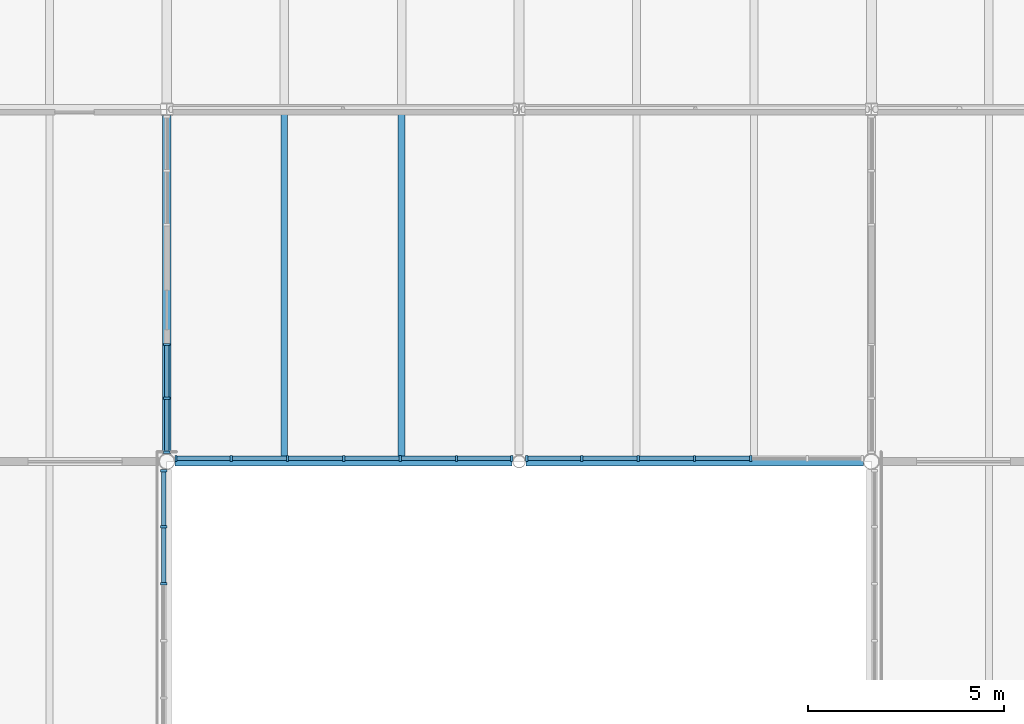
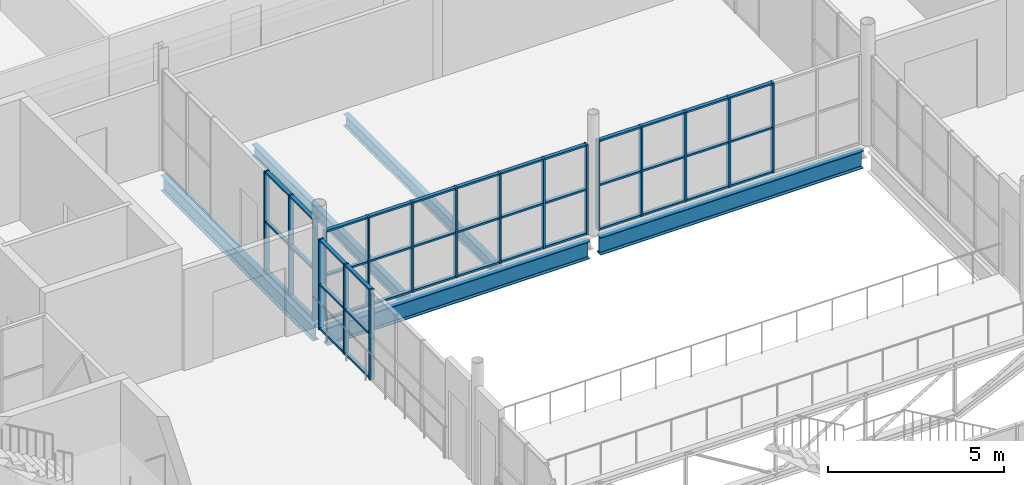
# One storey, part 23 of 61: 60 members, 5 beams, 4 elements without a shape of their own.
"""IFC4 building model written with IfcOpenShell, lengths in metres."""

from ifc_helpers import new_model, si_unit, direction, frame, origin, origin_2d, place, context, subcontext, project, spatial, rectangle, i_section, extrude, material, layer, layer_set, material_profile, profile_set, type_object, element, aggregate, save


model = new_model("IFC4")

# Units and contexts
model_context = context("Model", 3, precision=1e-05, world=origin(), true_north=direction((0.0, 1.0)))
body_context = subcontext(model_context, "Body", "Model", "MODEL_VIEW")
ifc_project = project(units=[si_unit("LENGTHUNIT", "METRE"), si_unit("AREAUNIT", "SQUARE_METRE"), si_unit("VOLUMEUNIT", "CUBIC_METRE"), si_unit("PLANEANGLEUNIT", "RADIAN"), si_unit("MASSUNIT", "GRAM", prefix="KILO")], contexts=[model_context])

# Site, building, storey
site_placement = place(None, origin())
site = spatial("IfcSite", under=ifc_project, at=site_placement, CompositionType="ELEMENT")
building_placement = place(site_placement, origin())
building = spatial("IfcBuilding", under=site, at=building_placement, Name="Halyard Row Museum", CompositionType="ELEMENT")
storey_placement = place(building_placement, frame((0.0, 0.0, 9.199951171875)))
storey = spatial("IfcBuildingStorey", under=building, at=storey_placement, Name="L02", CompositionType="ELEMENT", Elevation=9.199951171875)

# Curtain wall, members
ifc_material_1 = material(Name="Fire-resisting laminated glazing", Category="glass")
ifc_layer = layer(ifc_material_1, 0.159912109375)
ifc_layer_set = layer_set([ifc_layer], Name="Fire-resisting laminated glazing")
curtain_wall_type = type_object("IfcCurtainWallType", Name="Curtain wall atrium screen 160 deep", PredefinedType="NOTDEFINED", material=ifc_layer_set)
curtain_wall_1_placement = place(storey_placement, origin())
curtain_wall_1 = element("IfcCurtainWall", 1, at=curtain_wall_1_placement, inside=storey, type_object=curtain_wall_type, Name="Curtain wall CW089", PredefinedType="NOTDEFINED")
ifc_material_2 = material(Name="Powder-coated aluminium section", Category="aluminium")
ifc_material_profile_1 = material_profile(ifc_material_2, rectangle(XDim=0.159912109375, YDim=0.06005859375, at=origin_2d()), Name="160x60 mullion")
ifc_profile_set_1 = profile_set([ifc_material_profile_1], Name="Powder-coated aluminium section")
member_type_1 = type_object("IfcMemberType", Name="Curtain wall mullion CM5 60 x 160", PredefinedType="MULLION", material=ifc_profile_set_1)
member_1_placement = place(storey_placement, frame((95.91845703125, 27.080078125, 0.0), z_axis=(0.0, 0.0, 1.0), x_axis=(0.0, -1.0, 0.0)))
member_1 = element("IfcMember", 2, at=member_1_placement, type_object=member_type_1, Name="CW089 mullion 3", PredefinedType="MULLION", context=body_context, shape_type="SweptSolid", body=[
    extrude(rectangle(XDim=0.159912109375, YDim=0.06005859375, at=origin_2d()), origin(), (0.0, 0.0, 1.0), 3.12451171875),
])
member_2_placement = place(storey_placement, frame((94.4794921875, 27.080078125, 0.0), z_axis=(0.0, 0.0, 1.0), x_axis=(0.0, -1.0, 0.0)))
member_2 = element("IfcMember", 3, at=member_2_placement, type_object=member_type_1, Name="CW089 mullion 4", PredefinedType="MULLION", context=body_context, shape_type="SweptSolid", body=[
    extrude(rectangle(XDim=0.159912109375, YDim=0.06005859375, at=origin_2d()), origin(), (0.0, 0.0, 1.0), 3.12451171875),
])
member_3_placement = place(storey_placement, frame((93.040283203125, 27.080078125, 0.0), z_axis=(0.0, 0.0, 1.0), x_axis=(0.0, -1.0, 0.0)))
member_3 = element("IfcMember", 4, at=member_3_placement, type_object=member_type_1, Name="CW089 mullion 5", PredefinedType="MULLION", context=body_context, shape_type="SweptSolid", body=[
    extrude(rectangle(XDim=0.159912109375, YDim=0.06005859375, at=origin_2d()), origin(), (0.0, 0.0, 1.0), 3.12451171875),
])
member_4_placement = place(storey_placement, frame((91.60107421875, 27.080078125, 0.0), z_axis=(0.0, 0.0, 1.0), x_axis=(0.0, -1.0, 0.0)))
member_4 = element("IfcMember", 5, at=member_4_placement, type_object=member_type_1, Name="CW089 mullion 6", PredefinedType="MULLION", context=body_context, shape_type="SweptSolid", body=[
    extrude(rectangle(XDim=0.159912109375, YDim=0.06005859375, at=origin_2d()), origin(), (0.0, 0.0, 1.0), 3.12451171875),
])
member_5_placement = place(storey_placement, frame((90.19189453125, 27.080078125, 0.0), z_axis=(0.0, 0.0, 1.0), x_axis=(0.0, -1.0, 0.0)))
member_5 = element("IfcMember", 6, at=member_5_placement, type_object=member_type_1, Name="CW089 mullion 7", PredefinedType="MULLION", context=body_context, shape_type="SweptSolid", body=[
    extrude(rectangle(XDim=0.159912109375, YDim=0.06005859375, at=origin_2d()), origin(), (0.0, 0.0, 1.0), 3.12451171875),
])

curtain_wall_2_placement = place(storey_placement, origin())
curtain_wall_2 = element("IfcCurtainWall", 7, at=curtain_wall_2_placement, inside=storey, type_object=curtain_wall_type, Name="Curtain wall CW090", PredefinedType="NOTDEFINED")
member_6_placement = place(storey_placement, frame((89.80810546875, 27.080078125, 0.0), z_axis=(0.0, 0.0, 1.0), x_axis=(0.0, -1.0, 0.0)))
member_6 = element("IfcMember", 8, at=member_6_placement, type_object=member_type_1, Name="CW090 mullion 1", PredefinedType="MULLION", context=body_context, shape_type="SweptSolid", body=[
    extrude(rectangle(XDim=0.159912109375, YDim=0.06005859375, at=origin_2d()), origin(), (0.0, 0.0, 1.0), 3.12451171875),
])
member_7_placement = place(storey_placement, frame((88.39892578125, 27.080078125, 0.0), z_axis=(0.0, 0.0, 1.0), x_axis=(0.0, -1.0, 0.0)))
member_7 = element("IfcMember", 9, at=member_7_placement, type_object=member_type_1, Name="CW090 mullion 2", PredefinedType="MULLION", context=body_context, shape_type="SweptSolid", body=[
    extrude(rectangle(XDim=0.159912109375, YDim=0.06005859375, at=origin_2d()), origin(), (0.0, 0.0, 1.0), 3.12451171875),
])
member_8_placement = place(storey_placement, frame((86.959716796875, 27.080078125, 0.0), z_axis=(0.0, 0.0, 1.0), x_axis=(0.0, -1.0, 0.0)))
member_8 = element("IfcMember", 10, at=member_8_placement, type_object=member_type_1, Name="CW090 mullion 3", PredefinedType="MULLION", context=body_context, shape_type="SweptSolid", body=[
    extrude(rectangle(XDim=0.159912109375, YDim=0.06005859375, at=origin_2d()), origin(), (0.0, 0.0, 1.0), 3.12451171875),
])
member_9_placement = place(storey_placement, frame((85.5205078125, 27.080078125, 0.0), z_axis=(0.0, 0.0, 1.0), x_axis=(0.0, -1.0, 0.0)))
member_9 = element("IfcMember", 11, at=member_9_placement, type_object=member_type_1, Name="CW090 mullion 4", PredefinedType="MULLION", context=body_context, shape_type="SweptSolid", body=[
    extrude(rectangle(XDim=0.159912109375, YDim=0.06005859375, at=origin_2d()), origin(), (0.0, 0.0, 1.0), 3.12451171875),
])
member_10_placement = place(storey_placement, frame((84.08154296875, 27.080078125, 0.0), z_axis=(0.0, 0.0, 1.0), x_axis=(0.0, -1.0, 0.0)))
member_10 = element("IfcMember", 12, at=member_10_placement, type_object=member_type_1, Name="CW090 mullion 5", PredefinedType="MULLION", context=body_context, shape_type="SweptSolid", body=[
    extrude(rectangle(XDim=0.159912109375, YDim=0.06005859375, at=origin_2d()), origin(), (0.0, 0.0, 1.0), 3.12451171875),
])
member_11_placement = place(storey_placement, frame((82.642333984375, 27.080078125, 0.0), z_axis=(0.0, 0.0, 1.0), x_axis=(0.0, -1.0, 0.0)))
member_11 = element("IfcMember", 13, at=member_11_placement, type_object=member_type_1, Name="CW090 mullion 6", PredefinedType="MULLION", context=body_context, shape_type="SweptSolid", body=[
    extrude(rectangle(XDim=0.159912109375, YDim=0.06005859375, at=origin_2d()), origin(), (0.0, 0.0, 1.0), 3.12451171875),
])
member_12_placement = place(storey_placement, frame((81.233154296875, 27.080078125, 0.0), z_axis=(0.0, 0.0, 1.0), x_axis=(0.0, -1.0, 0.0)))
member_12 = element("IfcMember", 14, at=member_12_placement, type_object=member_type_1, Name="CW090 mullion 7", PredefinedType="MULLION", context=body_context, shape_type="SweptSolid", body=[
    extrude(rectangle(XDim=0.159912109375, YDim=0.06005859375, at=origin_2d()), origin(), (0.0, 0.0, 1.0), 3.12451171875),
])

curtain_wall_3_placement = place(storey_placement, origin())
curtain_wall_3 = element("IfcCurtainWall", 15, at=curtain_wall_3_placement, inside=storey, type_object=curtain_wall_type, Name="Curtain wall CW091", PredefinedType="NOTDEFINED")
member_13_placement = place(storey_placement, frame((80.919921875, 26.766845703125, 0.0), z_axis=(0.0, 0.0, 1.0), x_axis=(1.0, 0.0, 0.0)))
member_13 = element("IfcMember", 16, at=member_13_placement, type_object=member_type_1, Name="CW091 mullion 1", PredefinedType="MULLION", context=body_context, shape_type="SweptSolid", body=[
    extrude(rectangle(XDim=0.159912109375, YDim=0.06005859375, at=origin_2d()), origin(), (0.0, 0.0, 1.0), 3.12451171875),
])
member_14_placement = place(storey_placement, frame((80.919921875, 25.33740234375, 0.0), z_axis=(0.0, 0.0, 1.0), x_axis=(1.0, 0.0, 0.0)))
member_14 = element("IfcMember", 17, at=member_14_placement, type_object=member_type_1, Name="CW091 mullion 2", PredefinedType="MULLION", context=body_context, shape_type="SweptSolid", body=[
    extrude(rectangle(XDim=0.159912109375, YDim=0.06005859375, at=origin_2d()), origin(), (0.0, 0.0, 1.0), 3.12451171875),
])
member_15_placement = place(storey_placement, frame((80.919921875, 23.878173828125, 0.0), z_axis=(0.0, 0.0, 1.0), x_axis=(1.0, 0.0, 0.0)))
member_15 = element("IfcMember", 18, at=member_15_placement, type_object=member_type_1, Name="CW091 mullion 3", PredefinedType="MULLION", context=body_context, shape_type="SweptSolid", body=[
    extrude(rectangle(XDim=0.159912109375, YDim=0.06005859375, at=origin_2d()), origin(), (0.0, 0.0, 1.0), 3.12451171875),
])

curtain_wall_4_placement = place(storey_placement, origin())
curtain_wall_4 = element("IfcCurtainWall", 19, at=curtain_wall_4_placement, inside=storey, type_object=curtain_wall_type, Name="Curtain wall CW172", PredefinedType="NOTDEFINED")
member_16_placement = place(storey_placement, frame((81.0, 27.233154296875, 0.0), z_axis=(0.0, 0.0, 1.0), x_axis=(-1.0, 0.0, 0.0)))
member_16 = element("IfcMember", 20, at=member_16_placement, type_object=member_type_1, Name="CW172 mullion 1", PredefinedType="MULLION", context=body_context, shape_type="SweptSolid", body=[
    extrude(rectangle(XDim=0.159912109375, YDim=0.06005859375, at=origin_2d()), origin(), (0.0, 0.0, 1.0), 3.501953125),
])
member_17_placement = place(storey_placement, frame((81.0, 28.6123046875, 0.0), z_axis=(0.0, 0.0, 1.0), x_axis=(-1.0, 0.0, 0.0)))
member_17 = element("IfcMember", 21, at=member_17_placement, type_object=member_type_1, Name="CW172 mullion 2", PredefinedType="MULLION", context=body_context, shape_type="SweptSolid", body=[
    extrude(rectangle(XDim=0.159912109375, YDim=0.06005859375, at=origin_2d()), origin(), (0.0, 0.0, 1.0), 3.501953125),
])
member_18_placement = place(storey_placement, frame((81.0, 29.991455078125, 0.0), z_axis=(0.0, 0.0, 1.0), x_axis=(-1.0, 0.0, 0.0)))
member_18 = element("IfcMember", 22, at=member_18_placement, type_object=member_type_1, Name="CW172 mullion 3", PredefinedType="MULLION", context=body_context, shape_type="SweptSolid", body=[
    extrude(rectangle(XDim=0.159912109375, YDim=0.06005859375, at=origin_2d()), origin(), (0.0, 0.0, 1.0), 3.501953125),
])

# Member
ifc_material_3 = material(Name="Powder-coated aluminium section", Category="aluminium")
ifc_material_profile_2 = material_profile(ifc_material_3, rectangle(XDim=0.1201171875, YDim=0.06005859375, at=origin_2d()), Name="120x60 transom")
ifc_profile_set_2 = profile_set([ifc_material_profile_2], Name="Powder-coated aluminium section")
member_type_2 = type_object("IfcMemberType", Name="Curtain wall transom CT5 60 x 120", PredefinedType="USERDEFINED", material=ifc_profile_set_2)
member_19_placement = place(storey_placement, frame((95.888427734375, 27.080078125, 0.030029296875), z_axis=(-1.0, 0.0, 0.0), x_axis=(0.0, -1.0, 0.0)))
member_19 = element("IfcMember", 23, at=member_19_placement, type_object=member_type_2, Name="CW089 transom 3.1", ObjectType="TRANSOM", PredefinedType="USERDEFINED", context=body_context, shape_type="SweptSolid", body=[
    extrude(rectangle(XDim=0.1201171875, YDim=0.06005859375, at=origin_2d()), origin(), (0.0, 0.0, 1.0), 1.379150390625),
])

member_20_placement = place(storey_placement, frame((95.888427734375, 27.080078125, 1.562255859375), z_axis=(-1.0, 0.0, 0.0), x_axis=(0.0, -1.0, 0.0)))
member_20 = element("IfcMember", 24, at=member_20_placement, type_object=member_type_2, Name="CW089 transom 3.2", ObjectType="TRANSOM", PredefinedType="USERDEFINED", context=body_context, shape_type="SweptSolid", body=[
    extrude(rectangle(XDim=0.1201171875, YDim=0.06005859375, at=origin_2d()), origin(), (0.0, 0.0, 1.0), 1.379150390625),
])

member_21_placement = place(storey_placement, frame((95.888427734375, 27.080078125, 3.094482421875), z_axis=(-1.0, 0.0, 0.0), x_axis=(0.0, -1.0, 0.0)))
member_21 = element("IfcMember", 25, at=member_21_placement, type_object=member_type_2, Name="CW089 transom 3.3", ObjectType="TRANSOM", PredefinedType="USERDEFINED", context=body_context, shape_type="SweptSolid", body=[
    extrude(rectangle(XDim=0.1201171875, YDim=0.06005859375, at=origin_2d()), origin(), (0.0, 0.0, 1.0), 1.379150390625),
])

member_22_placement = place(storey_placement, frame((94.449462890625, 27.080078125, 0.030029296875), z_axis=(-1.0, 0.0, 0.0), x_axis=(0.0, -1.0, 0.0)))
member_22 = element("IfcMember", 26, at=member_22_placement, type_object=member_type_2, Name="CW089 transom 4.1", ObjectType="TRANSOM", PredefinedType="USERDEFINED", context=body_context, shape_type="SweptSolid", body=[
    extrude(rectangle(XDim=0.1201171875, YDim=0.06005859375, at=origin_2d()), origin(), (0.0, 0.0, 1.0), 1.379150390625),
])

member_23_placement = place(storey_placement, frame((94.449462890625, 27.080078125, 1.562255859375), z_axis=(-1.0, 0.0, 0.0), x_axis=(0.0, -1.0, 0.0)))
member_23 = element("IfcMember", 27, at=member_23_placement, type_object=member_type_2, Name="CW089 transom 4.2", ObjectType="TRANSOM", PredefinedType="USERDEFINED", context=body_context, shape_type="SweptSolid", body=[
    extrude(rectangle(XDim=0.1201171875, YDim=0.06005859375, at=origin_2d()), origin(), (0.0, 0.0, 1.0), 1.379150390625),
])

member_24_placement = place(storey_placement, frame((94.449462890625, 27.080078125, 3.094482421875), z_axis=(-1.0, 0.0, 0.0), x_axis=(0.0, -1.0, 0.0)))
member_24 = element("IfcMember", 28, at=member_24_placement, type_object=member_type_2, Name="CW089 transom 4.3", ObjectType="TRANSOM", PredefinedType="USERDEFINED", context=body_context, shape_type="SweptSolid", body=[
    extrude(rectangle(XDim=0.1201171875, YDim=0.06005859375, at=origin_2d()), origin(), (0.0, 0.0, 1.0), 1.379150390625),
])

member_25_placement = place(storey_placement, frame((93.01025390625, 27.080078125, 0.030029296875), z_axis=(-1.0, 0.0, 0.0), x_axis=(0.0, -1.0, 0.0)))
member_25 = element("IfcMember", 29, at=member_25_placement, type_object=member_type_2, Name="CW089 transom 5.1", ObjectType="TRANSOM", PredefinedType="USERDEFINED", context=body_context, shape_type="SweptSolid", body=[
    extrude(rectangle(XDim=0.1201171875, YDim=0.06005859375, at=origin_2d()), origin(), (0.0, 0.0, 1.0), 1.379150390625),
])

member_26_placement = place(storey_placement, frame((93.01025390625, 27.080078125, 1.562255859375), z_axis=(-1.0, 0.0, 0.0), x_axis=(0.0, -1.0, 0.0)))
member_26 = element("IfcMember", 30, at=member_26_placement, type_object=member_type_2, Name="CW089 transom 5.2", ObjectType="TRANSOM", PredefinedType="USERDEFINED", context=body_context, shape_type="SweptSolid", body=[
    extrude(rectangle(XDim=0.1201171875, YDim=0.06005859375, at=origin_2d()), origin(), (0.0, 0.0, 1.0), 1.379150390625),
])

member_27_placement = place(storey_placement, frame((93.01025390625, 27.080078125, 3.094482421875), z_axis=(-1.0, 0.0, 0.0), x_axis=(0.0, -1.0, 0.0)))
member_27 = element("IfcMember", 31, at=member_27_placement, type_object=member_type_2, Name="CW089 transom 5.3", ObjectType="TRANSOM", PredefinedType="USERDEFINED", context=body_context, shape_type="SweptSolid", body=[
    extrude(rectangle(XDim=0.1201171875, YDim=0.06005859375, at=origin_2d()), origin(), (0.0, 0.0, 1.0), 1.379150390625),
])

member_28_placement = place(storey_placement, frame((91.571044921875, 27.080078125, 0.030029296875), z_axis=(-1.0, 0.0, 0.0), x_axis=(0.0, -1.0, 0.0)))
member_28 = element("IfcMember", 32, at=member_28_placement, type_object=member_type_2, Name="CW089 transom 6.1", ObjectType="TRANSOM", PredefinedType="USERDEFINED", context=body_context, shape_type="SweptSolid", body=[
    extrude(rectangle(XDim=0.1201171875, YDim=0.06005859375, at=origin_2d()), origin(), (0.0, 0.0, 1.0), 1.34912109375),
])

member_29_placement = place(storey_placement, frame((91.571044921875, 27.080078125, 1.562255859375), z_axis=(-1.0, 0.0, 0.0), x_axis=(0.0, -1.0, 0.0)))
member_29 = element("IfcMember", 33, at=member_29_placement, type_object=member_type_2, Name="CW089 transom 6.2", ObjectType="TRANSOM", PredefinedType="USERDEFINED", context=body_context, shape_type="SweptSolid", body=[
    extrude(rectangle(XDim=0.1201171875, YDim=0.06005859375, at=origin_2d()), origin(), (0.0, 0.0, 1.0), 1.34912109375),
])

member_30_placement = place(storey_placement, frame((91.571044921875, 27.080078125, 3.094482421875), z_axis=(-1.0, 0.0, 0.0), x_axis=(0.0, -1.0, 0.0)))
member_30 = element("IfcMember", 34, at=member_30_placement, type_object=member_type_2, Name="CW089 transom 6.3", ObjectType="TRANSOM", PredefinedType="USERDEFINED", context=body_context, shape_type="SweptSolid", body=[
    extrude(rectangle(XDim=0.1201171875, YDim=0.06005859375, at=origin_2d()), origin(), (0.0, 0.0, 1.0), 1.34912109375),
])

aggregate(curtain_wall_1, [member_1, member_2, member_3, member_4, member_5, member_19, member_20, member_21, member_22, member_23, member_24, member_25, member_26, member_27, member_28, member_29, member_30])

member_31_placement = place(storey_placement, frame((89.778076171875, 27.080078125, 0.030029296875), z_axis=(-1.0, 0.0, 0.0), x_axis=(0.0, -1.0, 0.0)))
member_31 = element("IfcMember", 35, at=member_31_placement, type_object=member_type_2, Name="CW090 transom 1.1", ObjectType="TRANSOM", PredefinedType="USERDEFINED", context=body_context, shape_type="SweptSolid", body=[
    extrude(rectangle(XDim=0.1201171875, YDim=0.06005859375, at=origin_2d()), origin(), (0.0, 0.0, 1.0), 1.34912109375),
])

member_32_placement = place(storey_placement, frame((89.778076171875, 27.080078125, 1.562255859375), z_axis=(-1.0, 0.0, 0.0), x_axis=(0.0, -1.0, 0.0)))
member_32 = element("IfcMember", 36, at=member_32_placement, type_object=member_type_2, Name="CW090 transom 1.2", ObjectType="TRANSOM", PredefinedType="USERDEFINED", context=body_context, shape_type="SweptSolid", body=[
    extrude(rectangle(XDim=0.1201171875, YDim=0.06005859375, at=origin_2d()), origin(), (0.0, 0.0, 1.0), 1.34912109375),
])

member_33_placement = place(storey_placement, frame((89.778076171875, 27.080078125, 3.094482421875), z_axis=(-1.0, 0.0, 0.0), x_axis=(0.0, -1.0, 0.0)))
member_33 = element("IfcMember", 37, at=member_33_placement, type_object=member_type_2, Name="CW090 transom 1.3", ObjectType="TRANSOM", PredefinedType="USERDEFINED", context=body_context, shape_type="SweptSolid", body=[
    extrude(rectangle(XDim=0.1201171875, YDim=0.06005859375, at=origin_2d()), origin(), (0.0, 0.0, 1.0), 1.34912109375),
])

member_34_placement = place(storey_placement, frame((88.368896484375, 27.080078125, 0.030029296875), z_axis=(-1.0, 0.0, 0.0), x_axis=(0.0, -1.0, 0.0)))
member_34 = element("IfcMember", 38, at=member_34_placement, type_object=member_type_2, Name="CW090 transom 2.1", ObjectType="TRANSOM", PredefinedType="USERDEFINED", context=body_context, shape_type="SweptSolid", body=[
    extrude(rectangle(XDim=0.1201171875, YDim=0.06005859375, at=origin_2d()), origin(), (0.0, 0.0, 1.0), 1.379150390625),
])

member_35_placement = place(storey_placement, frame((88.368896484375, 27.080078125, 1.562255859375), z_axis=(-1.0, 0.0, 0.0), x_axis=(0.0, -1.0, 0.0)))
member_35 = element("IfcMember", 39, at=member_35_placement, type_object=member_type_2, Name="CW090 transom 2.2", ObjectType="TRANSOM", PredefinedType="USERDEFINED", context=body_context, shape_type="SweptSolid", body=[
    extrude(rectangle(XDim=0.1201171875, YDim=0.06005859375, at=origin_2d()), origin(), (0.0, 0.0, 1.0), 1.379150390625),
])

member_36_placement = place(storey_placement, frame((88.368896484375, 27.080078125, 3.094482421875), z_axis=(-1.0, 0.0, 0.0), x_axis=(0.0, -1.0, 0.0)))
member_36 = element("IfcMember", 40, at=member_36_placement, type_object=member_type_2, Name="CW090 transom 2.3", ObjectType="TRANSOM", PredefinedType="USERDEFINED", context=body_context, shape_type="SweptSolid", body=[
    extrude(rectangle(XDim=0.1201171875, YDim=0.06005859375, at=origin_2d()), origin(), (0.0, 0.0, 1.0), 1.379150390625),
])

member_37_placement = place(storey_placement, frame((86.9296875, 27.080078125, 0.030029296875), z_axis=(-1.0, 0.0, 0.0), x_axis=(0.0, -1.0, 0.0)))
member_37 = element("IfcMember", 41, at=member_37_placement, type_object=member_type_2, Name="CW090 transom 3.1", ObjectType="TRANSOM", PredefinedType="USERDEFINED", context=body_context, shape_type="SweptSolid", body=[
    extrude(rectangle(XDim=0.1201171875, YDim=0.06005859375, at=origin_2d()), origin(), (0.0, 0.0, 1.0), 1.379150390625),
])

member_38_placement = place(storey_placement, frame((86.9296875, 27.080078125, 1.562255859375), z_axis=(-1.0, 0.0, 0.0), x_axis=(0.0, -1.0, 0.0)))
member_38 = element("IfcMember", 42, at=member_38_placement, type_object=member_type_2, Name="CW090 transom 3.2", ObjectType="TRANSOM", PredefinedType="USERDEFINED", context=body_context, shape_type="SweptSolid", body=[
    extrude(rectangle(XDim=0.1201171875, YDim=0.06005859375, at=origin_2d()), origin(), (0.0, 0.0, 1.0), 1.379150390625),
])

member_39_placement = place(storey_placement, frame((86.9296875, 27.080078125, 3.094482421875), z_axis=(-1.0, 0.0, 0.0), x_axis=(0.0, -1.0, 0.0)))
member_39 = element("IfcMember", 43, at=member_39_placement, type_object=member_type_2, Name="CW090 transom 3.3", ObjectType="TRANSOM", PredefinedType="USERDEFINED", context=body_context, shape_type="SweptSolid", body=[
    extrude(rectangle(XDim=0.1201171875, YDim=0.06005859375, at=origin_2d()), origin(), (0.0, 0.0, 1.0), 1.379150390625),
])

member_40_placement = place(storey_placement, frame((85.49072265625, 27.080078125, 0.030029296875), z_axis=(-1.0, 0.0, 0.0), x_axis=(0.0, -1.0, 0.0)))
member_40 = element("IfcMember", 44, at=member_40_placement, type_object=member_type_2, Name="CW090 transom 4.1", ObjectType="TRANSOM", PredefinedType="USERDEFINED", context=body_context, shape_type="SweptSolid", body=[
    extrude(rectangle(XDim=0.1201171875, YDim=0.06005859375, at=origin_2d()), origin(), (0.0, 0.0, 1.0), 1.379150390625),
])

member_41_placement = place(storey_placement, frame((85.49072265625, 27.080078125, 1.562255859375), z_axis=(-1.0, 0.0, 0.0), x_axis=(0.0, -1.0, 0.0)))
member_41 = element("IfcMember", 45, at=member_41_placement, type_object=member_type_2, Name="CW090 transom 4.2", ObjectType="TRANSOM", PredefinedType="USERDEFINED", context=body_context, shape_type="SweptSolid", body=[
    extrude(rectangle(XDim=0.1201171875, YDim=0.06005859375, at=origin_2d()), origin(), (0.0, 0.0, 1.0), 1.379150390625),
])

member_42_placement = place(storey_placement, frame((85.49072265625, 27.080078125, 3.094482421875), z_axis=(-1.0, 0.0, 0.0), x_axis=(0.0, -1.0, 0.0)))
member_42 = element("IfcMember", 46, at=member_42_placement, type_object=member_type_2, Name="CW090 transom 4.3", ObjectType="TRANSOM", PredefinedType="USERDEFINED", context=body_context, shape_type="SweptSolid", body=[
    extrude(rectangle(XDim=0.1201171875, YDim=0.06005859375, at=origin_2d()), origin(), (0.0, 0.0, 1.0), 1.379150390625),
])

member_43_placement = place(storey_placement, frame((84.051513671875, 27.080078125, 0.030029296875), z_axis=(-1.0, 0.0, 0.0), x_axis=(0.0, -1.0, 0.0)))
member_43 = element("IfcMember", 47, at=member_43_placement, type_object=member_type_2, Name="CW090 transom 5.1", ObjectType="TRANSOM", PredefinedType="USERDEFINED", context=body_context, shape_type="SweptSolid", body=[
    extrude(rectangle(XDim=0.1201171875, YDim=0.06005859375, at=origin_2d()), origin(), (0.0, 0.0, 1.0), 1.379150390625),
])

member_44_placement = place(storey_placement, frame((84.051513671875, 27.080078125, 1.562255859375), z_axis=(-1.0, 0.0, 0.0), x_axis=(0.0, -1.0, 0.0)))
member_44 = element("IfcMember", 48, at=member_44_placement, type_object=member_type_2, Name="CW090 transom 5.2", ObjectType="TRANSOM", PredefinedType="USERDEFINED", context=body_context, shape_type="SweptSolid", body=[
    extrude(rectangle(XDim=0.1201171875, YDim=0.06005859375, at=origin_2d()), origin(), (0.0, 0.0, 1.0), 1.379150390625),
])

member_45_placement = place(storey_placement, frame((84.051513671875, 27.080078125, 3.094482421875), z_axis=(-1.0, 0.0, 0.0), x_axis=(0.0, -1.0, 0.0)))
member_45 = element("IfcMember", 49, at=member_45_placement, type_object=member_type_2, Name="CW090 transom 5.3", ObjectType="TRANSOM", PredefinedType="USERDEFINED", context=body_context, shape_type="SweptSolid", body=[
    extrude(rectangle(XDim=0.1201171875, YDim=0.06005859375, at=origin_2d()), origin(), (0.0, 0.0, 1.0), 1.379150390625),
])

member_46_placement = place(storey_placement, frame((82.6123046875, 27.080078125, 0.030029296875), z_axis=(-1.0, 0.0, 0.0), x_axis=(0.0, -1.0, 0.0)))
member_46 = element("IfcMember", 50, at=member_46_placement, type_object=member_type_2, Name="CW090 transom 6.1", ObjectType="TRANSOM", PredefinedType="USERDEFINED", context=body_context, shape_type="SweptSolid", body=[
    extrude(rectangle(XDim=0.1201171875, YDim=0.06005859375, at=origin_2d()), origin(), (0.0, 0.0, 1.0), 1.34912109375),
])

member_47_placement = place(storey_placement, frame((82.6123046875, 27.080078125, 1.562255859375), z_axis=(-1.0, 0.0, 0.0), x_axis=(0.0, -1.0, 0.0)))
member_47 = element("IfcMember", 51, at=member_47_placement, type_object=member_type_2, Name="CW090 transom 6.2", ObjectType="TRANSOM", PredefinedType="USERDEFINED", context=body_context, shape_type="SweptSolid", body=[
    extrude(rectangle(XDim=0.1201171875, YDim=0.06005859375, at=origin_2d()), origin(), (0.0, 0.0, 1.0), 1.34912109375),
])

member_48_placement = place(storey_placement, frame((82.6123046875, 27.080078125, 3.094482421875), z_axis=(-1.0, 0.0, 0.0), x_axis=(0.0, -1.0, 0.0)))
member_48 = element("IfcMember", 52, at=member_48_placement, type_object=member_type_2, Name="CW090 transom 6.3", ObjectType="TRANSOM", PredefinedType="USERDEFINED", context=body_context, shape_type="SweptSolid", body=[
    extrude(rectangle(XDim=0.1201171875, YDim=0.06005859375, at=origin_2d()), origin(), (0.0, 0.0, 1.0), 1.34912109375),
])

aggregate(curtain_wall_2, [member_6, member_7, member_8, member_9, member_10, member_11, member_12, member_31, member_32, member_33, member_34, member_35, member_36, member_37, member_38, member_39, member_40, member_41, member_42, member_43, member_44, member_45, member_46, member_47, member_48])

member_49_placement = place(storey_placement, frame((80.919921875, 26.73681640625, 0.030029296875), z_axis=(0.0, -1.0, 0.0), x_axis=(1.0, 0.0, 0.0)))
member_49 = element("IfcMember", 53, at=member_49_placement, type_object=member_type_2, Name="CW091 transom 1.1", ObjectType="TRANSOM", PredefinedType="USERDEFINED", context=body_context, shape_type="SweptSolid", body=[
    extrude(rectangle(XDim=0.1201171875, YDim=0.06005859375, at=origin_2d()), origin(), (0.0, 0.0, 1.0), 1.369384765625),
])

member_50_placement = place(storey_placement, frame((80.919921875, 26.73681640625, 1.562255859375), z_axis=(0.0, -1.0, 0.0), x_axis=(1.0, 0.0, 0.0)))
member_50 = element("IfcMember", 54, at=member_50_placement, type_object=member_type_2, Name="CW091 transom 1.2", ObjectType="TRANSOM", PredefinedType="USERDEFINED", context=body_context, shape_type="SweptSolid", body=[
    extrude(rectangle(XDim=0.1201171875, YDim=0.06005859375, at=origin_2d()), origin(), (0.0, 0.0, 1.0), 1.369384765625),
])

member_51_placement = place(storey_placement, frame((80.919921875, 26.73681640625, 3.094482421875), z_axis=(0.0, -1.0, 0.0), x_axis=(1.0, 0.0, 0.0)))
member_51 = element("IfcMember", 55, at=member_51_placement, type_object=member_type_2, Name="CW091 transom 1.3", ObjectType="TRANSOM", PredefinedType="USERDEFINED", context=body_context, shape_type="SweptSolid", body=[
    extrude(rectangle(XDim=0.1201171875, YDim=0.06005859375, at=origin_2d()), origin(), (0.0, 0.0, 1.0), 1.369384765625),
])

member_52_placement = place(storey_placement, frame((80.919921875, 25.307373046875, 0.030029296875), z_axis=(0.0, -1.0, 0.0), x_axis=(1.0, 0.0, 0.0)))
member_52 = element("IfcMember", 56, at=member_52_placement, type_object=member_type_2, Name="CW091 transom 2.1", ObjectType="TRANSOM", PredefinedType="USERDEFINED", context=body_context, shape_type="SweptSolid", body=[
    extrude(rectangle(XDim=0.1201171875, YDim=0.06005859375, at=origin_2d()), origin(), (0.0, 0.0, 1.0), 1.3994140625),
])

member_53_placement = place(storey_placement, frame((80.919921875, 25.307373046875, 1.562255859375), z_axis=(0.0, -1.0, 0.0), x_axis=(1.0, 0.0, 0.0)))
member_53 = element("IfcMember", 57, at=member_53_placement, type_object=member_type_2, Name="CW091 transom 2.2", ObjectType="TRANSOM", PredefinedType="USERDEFINED", context=body_context, shape_type="SweptSolid", body=[
    extrude(rectangle(XDim=0.1201171875, YDim=0.06005859375, at=origin_2d()), origin(), (0.0, 0.0, 1.0), 1.3994140625),
])

member_54_placement = place(storey_placement, frame((80.919921875, 25.307373046875, 3.094482421875), z_axis=(0.0, -1.0, 0.0), x_axis=(1.0, 0.0, 0.0)))
member_54 = element("IfcMember", 58, at=member_54_placement, type_object=member_type_2, Name="CW091 transom 2.3", ObjectType="TRANSOM", PredefinedType="USERDEFINED", context=body_context, shape_type="SweptSolid", body=[
    extrude(rectangle(XDim=0.1201171875, YDim=0.06005859375, at=origin_2d()), origin(), (0.0, 0.0, 1.0), 1.3994140625),
])

aggregate(curtain_wall_3, [member_13, member_14, member_15, member_49, member_50, member_51, member_52, member_53, member_54])

member_55_placement = place(storey_placement, frame((81.0, 27.26318359375, 0.030029296875), z_axis=(0.0, 1.0, 0.0), x_axis=(-1.0, 0.0, 0.0)))
member_55 = element("IfcMember", 59, at=member_55_placement, type_object=member_type_2, Name="CW172 transom 1.1", ObjectType="TRANSOM", PredefinedType="USERDEFINED", context=body_context, shape_type="SweptSolid", body=[
    extrude(rectangle(XDim=0.1201171875, YDim=0.06005859375, at=origin_2d()), origin(), (0.0, 0.0, 1.0), 1.319091796875),
])

member_56_placement = place(storey_placement, frame((81.0, 27.26318359375, 1.7509765625), z_axis=(0.0, 1.0, 0.0), x_axis=(-1.0, 0.0, 0.0)))
member_56 = element("IfcMember", 60, at=member_56_placement, type_object=member_type_2, Name="CW172 transom 1.2", ObjectType="TRANSOM", PredefinedType="USERDEFINED", context=body_context, shape_type="SweptSolid", body=[
    extrude(rectangle(XDim=0.1201171875, YDim=0.06005859375, at=origin_2d()), origin(), (0.0, 0.0, 1.0), 1.319091796875),
])

member_57_placement = place(storey_placement, frame((81.0, 27.26318359375, 3.47216796875), z_axis=(0.0, 1.0, 0.0), x_axis=(-1.0, 0.0, 0.0)))
member_57 = element("IfcMember", 61, at=member_57_placement, type_object=member_type_2, Name="CW172 transom 1.3", ObjectType="TRANSOM", PredefinedType="USERDEFINED", context=body_context, shape_type="SweptSolid", body=[
    extrude(rectangle(XDim=0.1201171875, YDim=0.06005859375, at=origin_2d()), origin(), (0.0, 0.0, 1.0), 1.319091796875),
])

member_58_placement = place(storey_placement, frame((81.0, 28.642333984375, 0.030029296875), z_axis=(0.0, 1.0, 0.0), x_axis=(-1.0, 0.0, 0.0)))
member_58 = element("IfcMember", 62, at=member_58_placement, type_object=member_type_2, Name="CW172 transom 2.1", ObjectType="TRANSOM", PredefinedType="USERDEFINED", context=body_context, shape_type="SweptSolid", body=[
    extrude(rectangle(XDim=0.1201171875, YDim=0.06005859375, at=origin_2d()), origin(), (0.0, 0.0, 1.0), 1.319091796875),
])

member_59_placement = place(storey_placement, frame((81.0, 28.642333984375, 1.7509765625), z_axis=(0.0, 1.0, 0.0), x_axis=(-1.0, 0.0, 0.0)))
member_59 = element("IfcMember", 63, at=member_59_placement, type_object=member_type_2, Name="CW172 transom 2.2", ObjectType="TRANSOM", PredefinedType="USERDEFINED", context=body_context, shape_type="SweptSolid", body=[
    extrude(rectangle(XDim=0.1201171875, YDim=0.06005859375, at=origin_2d()), origin(), (0.0, 0.0, 1.0), 1.319091796875),
])

member_60_placement = place(storey_placement, frame((81.0, 28.642333984375, 3.47216796875), z_axis=(0.0, 1.0, 0.0), x_axis=(-1.0, 0.0, 0.0)))
member_60 = element("IfcMember", 64, at=member_60_placement, type_object=member_type_2, Name="CW172 transom 2.3", ObjectType="TRANSOM", PredefinedType="USERDEFINED", context=body_context, shape_type="SweptSolid", body=[
    extrude(rectangle(XDim=0.1201171875, YDim=0.06005859375, at=origin_2d()), origin(), (0.0, 0.0, 1.0), 1.319091796875),
])

aggregate(curtain_wall_4, [member_16, member_17, member_18, member_55, member_56, member_57, member_58, member_59, member_60])

# Beams
ifc_material_4 = material(Name="Steel Grade 300", Category="steel")
ifc_material_profile_3 = material_profile(ifc_material_4, i_section(OverallWidth=0.208984375, OverallDepth=0.532958984375, WebThickness=0.01025390625, FlangeThickness=0.015625, FilletRadius=0.013916015625, at=origin_2d()), Name="530UB92.4")
ifc_profile_set_3 = profile_set([ifc_material_profile_3], Name="Steel Grade 300")
beam_type_1 = type_object("IfcBeamType", Name="Girder beam 530UB92.4", PredefinedType="BEAM", material=ifc_profile_set_3)
beam_placement = place(storey_placement, frame((81.0, 27.203125, -0.431396484375), z_axis=(0.0, 1.0, 0.0), x_axis=(-1.0, 0.0, 0.0)))
element("IfcBeam", 65, at=beam_placement, inside=storey, type_object=beam_type_1, Name="Beam L02-070", PredefinedType="BEAM", context=body_context, shape_type="SweptSolid", body=[
    extrude(i_section(OverallWidth=0.208984375, OverallDepth=0.532958984375, WebThickness=0.01025390625, FlangeThickness=0.015625, FilletRadius=0.013916015625, at=origin_2d()), origin(), (0.0, 0.0, 1.0), 8.63330078125),
])
ifc_material_5 = material(Name="Steel Grade 300", Category="steel")
ifc_material_profile_4 = material_profile(ifc_material_5, i_section(OverallWidth=0.177978515625, OverallDepth=0.406494140625, WebThickness=0.0078125, FlangeThickness=0.0126953125, FilletRadius=0.011474609375, at=origin_2d()), Name="410UB59.7")
ifc_profile_set_4 = profile_set([ifc_material_profile_4], Name="Steel Grade 300")
beam_type_2 = type_object("IfcBeamType", Name="Secondary beam 410UB59.7", PredefinedType="BEAM", material=ifc_profile_set_4)
for number, where, z_axis, x_axis, name in (
    (66, (84.0, 27.114013671875, -0.3681640625), (0.0, 1.0, 0.0), (-1.0, 0.0, 0.0), "Beam L02-129"),
    (67, (87.0, 27.114013671875, -0.3681640625), (0.0, 1.0, 0.0), (-1.0, 0.0, 0.0), "Beam L02-130"),
):
    element("IfcBeam", number, at=place(storey_placement, frame(where, z_axis=z_axis, x_axis=x_axis)), inside=storey, type_object=beam_type_2, Name=name, PredefinedType="BEAM", context=body_context, shape_type="SweptSolid", body=[
        extrude(i_section(OverallWidth=0.177978515625, OverallDepth=0.406494140625, WebThickness=0.0078125, FlangeThickness=0.0126953125, FilletRadius=0.011474609375, at=origin_2d()), origin(), (0.0, 0.0, 1.0), 8.760986328125),
    ])
ifc_material_6 = material(Name="Steel Grade 300", Category="steel")
ifc_material_profile_5 = material_profile(ifc_material_6, i_section(OverallWidth=0.22802734375, OverallDepth=0.60693359375, WebThickness=0.01123046875, FlangeThickness=0.017333984375, FilletRadius=0.013916015625, at=origin_2d()), Name="610UB113")
ifc_profile_set_5 = profile_set([ifc_material_profile_5], Name="Steel Grade 300")
beam_type_3 = type_object("IfcBeamType", Name="Void edge beam 610UB113", PredefinedType="BEAM", material=ifc_profile_set_5)
for number, where, z_axis, x_axis, name in (
    (68, (81.203125, 27.0, -0.468505859375), (1.0, 0.0, 0.0), (0.0, 1.0, 0.0), "Beam L02-023"),
    (69, (90.177734375, 27.0, -0.468505859375), (1.0, 0.0, 0.0), (0.0, 1.0, 0.0), "Beam L02-024"),
):
    element("IfcBeam", number, at=place(storey_placement, frame(where, z_axis=z_axis, x_axis=x_axis)), inside=storey, type_object=beam_type_3, Name=name, PredefinedType="BEAM", context=body_context, shape_type="SweptSolid", body=[
        extrude(i_section(OverallWidth=0.22802734375, OverallDepth=0.60693359375, WebThickness=0.01123046875, FlangeThickness=0.017333984375, FilletRadius=0.013916015625, at=origin_2d()), origin(), (0.0, 0.0, 1.0), 8.619140625),
    ])

save(model, "model.ifc")
